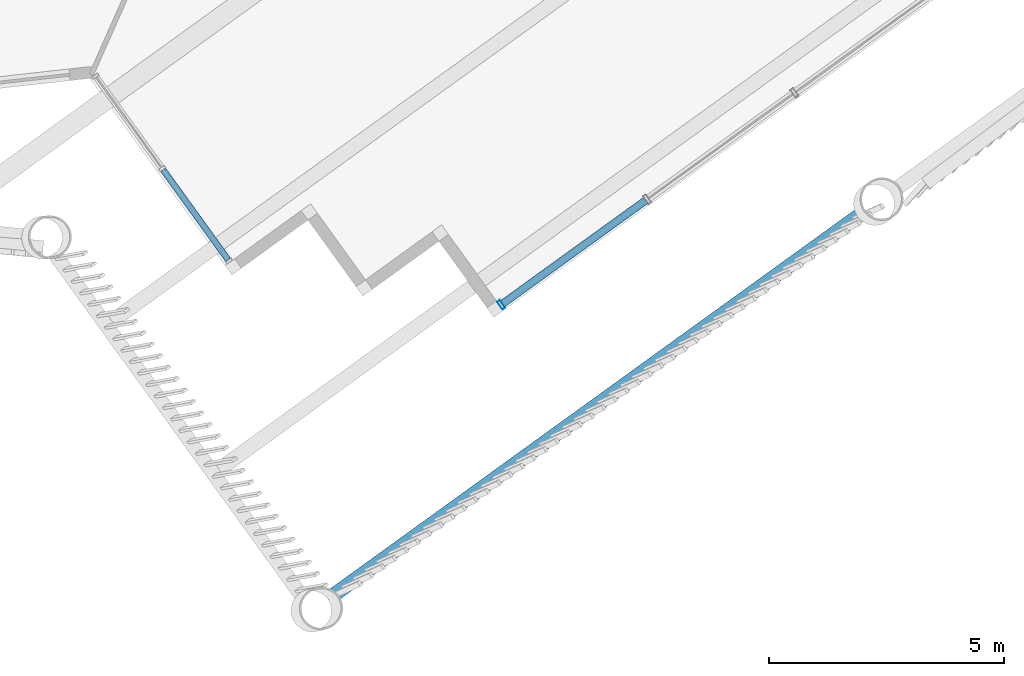
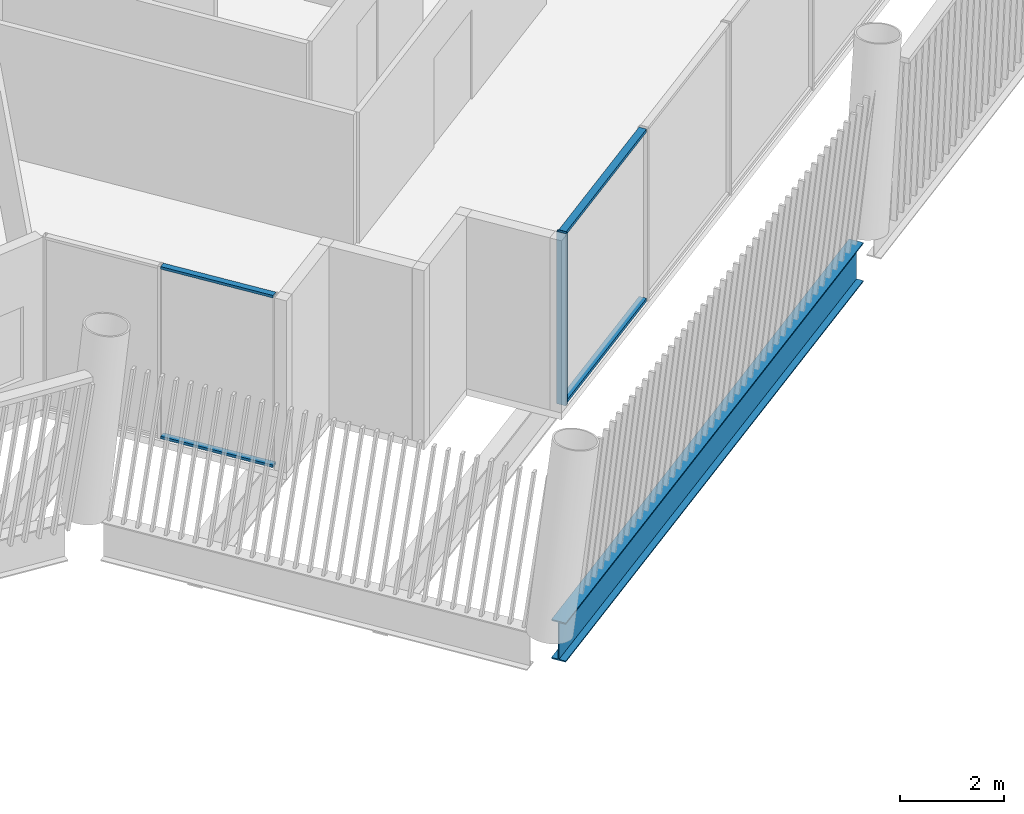
# One storey, part 8 of 27: 5 members, 1 beam, 2 elements without a shape of their own.
"""IFC4 building model written with IfcOpenShell, lengths in metres."""

from ifc_helpers import new_model, si_unit, direction, frame, origin, origin_2d, place, context, subcontext, project, spatial, hollow_rectangle, i_section, extrude, material, layer, layer_set, material_profile, profile_set, type_object, element, aggregate, save


model = new_model("IFC4")

# Units and contexts
model_context = context("Model", 3, precision=1e-05, world=origin(), true_north=direction((0.0, 1.0)))
body_context = subcontext(model_context, "Body", "Model", "MODEL_VIEW")
ifc_project = project(units=[si_unit("LENGTHUNIT", "METRE"), si_unit("AREAUNIT", "SQUARE_METRE"), si_unit("VOLUMEUNIT", "CUBIC_METRE"), si_unit("PLANEANGLEUNIT", "RADIAN"), si_unit("MASSUNIT", "GRAM", prefix="KILO")], contexts=[model_context])

# Site, building, storey
site_placement = place(None, origin())
site = spatial("IfcSite", under=ifc_project, at=site_placement, CompositionType="ELEMENT")
building_placement = place(site_placement, origin())
building = spatial("IfcBuilding", under=site, at=building_placement, Name="Tarsis Ring Headquarters", CompositionType="ELEMENT")
storey_placement = place(building_placement, frame((0.0, 0.0, 373.39990234375)))
storey = spatial("IfcBuildingStorey", under=building, at=storey_placement, Name="L88", CompositionType="ELEMENT", Elevation=373.39990234375)

# Curtain wall, members
ifc_material_1 = material(Name="Aluminium curtain wall", Category="aluminium")
ifc_layer_1 = layer(ifc_material_1, 0.199951171875)
ifc_layer_set_1 = layer_set([ifc_layer_1], Name="Curtain wall executive tip")
curtain_wall_type_1 = type_object("IfcCurtainWallType", Name="Curtain wall executive tip", PredefinedType="NOTDEFINED", material=ifc_layer_set_1)
curtain_wall_1_placement = place(storey_placement, origin())
curtain_wall_1 = element("IfcCurtainWall", 1, at=curtain_wall_1_placement, inside=storey, type_object=curtain_wall_type_1, Name="Curtain wall L88-11", PredefinedType="NOTDEFINED")
ifc_material_2 = material(Name="Aluminium mullion", Category="aluminium")
ifc_material_profile_1 = material_profile(ifc_material_2, hollow_rectangle(XDim=0.199951171875, YDim=0.070068359375, WallThickness=0.0048828125, at=origin_2d()), Name="RHS 200x70x5")
ifc_profile_set_1 = profile_set([ifc_material_profile_1], Name="Aluminium mullion")
member_type_1 = type_object("IfcMemberType", Name="Curtain wall mullion executive tip RHS 200x70x5", PredefinedType="MULLION", material=ifc_profile_set_1)
member_1_placement = place(storey_placement, frame((12.409423828125, -30.35693359375, 0.0), z_axis=(0.0, 0.0, 1.0), x_axis=(-0.58552372668, 0.810655269208, 0.0)))
member_1 = element("IfcMember", 2, at=member_1_placement, type_object=member_type_1, Name="CW-E mullion 1", PredefinedType="MULLION", context=body_context, shape_type="SweptSolid", body=[
    extrude(hollow_rectangle(XDim=0.199951171875, YDim=0.070068359375, WallThickness=0.0048828125, at=origin_2d()), origin(), (0.0, 0.0, 1.0), 4.0400390625),
])
ifc_material_3 = material(Name="Aluminium transom", Category="aluminium")
ifc_material_profile_2 = material_profile(ifc_material_3, hollow_rectangle(XDim=0.159912109375, YDim=0.070068359375, WallThickness=0.0048828125, at=origin_2d()), Name="RHS 160x70x5")
ifc_profile_set_2 = profile_set([ifc_material_profile_2], Name="Aluminium transom")
member_type_2 = type_object("IfcMemberType", Name="Curtain wall transom executive tip RHS 160x70x5", PredefinedType="USERDEFINED", material=ifc_profile_set_2)
member_2_placement = place(storey_placement, frame((12.437744140625, -30.33642578125, 0.03515625), z_axis=(0.810672397619, 0.585500011733, 0.0), x_axis=(-0.585500011733, 0.810672397619, 0.0)))
member_2 = element("IfcMember", 3, at=member_2_placement, type_object=member_type_2, Name="CW-E transom 1.1", ObjectType="TRANSOM", PredefinedType="USERDEFINED", context=body_context, shape_type="SweptSolid", body=[
    extrude(hollow_rectangle(XDim=0.159912109375, YDim=0.070068359375, WallThickness=0.0048828125, at=origin_2d()), origin(), (0.0, 0.0, 1.0), 3.77001953125),
])
member_3_placement = place(storey_placement, frame((12.437744140625, -30.33642578125, 4.005126953125), z_axis=(0.810672397619, 0.585500011733, 0.0), x_axis=(-0.585500011733, 0.810672397619, 0.0)))
member_3 = element("IfcMember", 4, at=member_3_placement, type_object=member_type_2, Name="CW-E transom 1.2", ObjectType="TRANSOM", PredefinedType="USERDEFINED", context=body_context, shape_type="SweptSolid", body=[
    extrude(hollow_rectangle(XDim=0.159912109375, YDim=0.070068359375, WallThickness=0.0048828125, at=origin_2d()), origin(), (0.0, 0.0, 1.0), 3.77001953125),
])
aggregate(curtain_wall_1, [member_1, member_2, member_3])

ifc_layer_2 = layer(ifc_material_1, 0.14990234375)
ifc_layer_set_2 = layer_set([ifc_layer_2], Name="Curtain wall tower unit")
curtain_wall_type_2 = type_object("IfcCurtainWallType", Name="Curtain wall tower unit", PredefinedType="NOTDEFINED", material=ifc_layer_set_2)
curtain_wall_2_placement = place(storey_placement, origin())
curtain_wall_2 = element("IfcCurtainWall", 5, at=curtain_wall_2_placement, inside=storey, type_object=curtain_wall_type_2, Name="Curtain wall L88-06", PredefinedType="NOTDEFINED")
ifc_material_profile_3 = material_profile(ifc_material_3, hollow_rectangle(XDim=0.1298828125, YDim=0.06005859375, WallThickness=0.0048828125, at=origin_2d()), Name="RHS 130x60x5")
ifc_profile_set_3 = profile_set([ifc_material_profile_3], Name="Aluminium transom")
member_type_3 = type_object("IfcMemberType", Name="Curtain wall transom tower unit RHS 130x60x5", PredefinedType="USERDEFINED", material=ifc_profile_set_3)
member_4_placement = place(storey_placement, frame((5.1982421875, -27.47802734375, 0.030029296875), z_axis=(0.585554460517, -0.810633069747, 0.0), x_axis=(0.810633069747, 0.585554460517, 0.0)))
member_4 = element("IfcMember", 6, at=member_4_placement, type_object=member_type_3, Name="CW-T transom 2.1", ObjectType="TRANSOM", PredefinedType="USERDEFINED", context=body_context, shape_type="SweptSolid", body=[
    extrude(hollow_rectangle(XDim=0.1298828125, YDim=0.06005859375, WallThickness=0.0048828125, at=origin_2d()), origin(), (0.0, 0.0, 1.0), 2.37109375),
])
member_5_placement = place(storey_placement, frame((5.1982421875, -27.47802734375, 4.010009765625), z_axis=(0.585554460517, -0.810633069747, 0.0), x_axis=(0.810633069747, 0.585554460517, 0.0)))
member_5 = element("IfcMember", 7, at=member_5_placement, type_object=member_type_3, Name="CW-T transom 2.2", ObjectType="TRANSOM", PredefinedType="USERDEFINED", context=body_context, shape_type="SweptSolid", body=[
    extrude(hollow_rectangle(XDim=0.1298828125, YDim=0.06005859375, WallThickness=0.0048828125, at=origin_2d()), origin(), (0.0, 0.0, 1.0), 2.37109375),
])
aggregate(curtain_wall_2, [member_4, member_5])

# Beam
ifc_material_4 = material(Name="Structural steel S355", Category="steel")
ifc_material_profile_4 = material_profile(ifc_material_4, i_section(OverallWidth=0.3046875, OverallDepth=0.91943359375, WebThickness=0.017333984375, FlangeThickness=0.02783203125, at=origin_2d()), Name="W36x170")
ifc_profile_set_4 = profile_set([ifc_material_profile_4], Name="Structural steel S355")
beam_type = type_object("IfcBeamType", Name="XG Ring girder W36x170", PredefinedType="BEAM", material=ifc_profile_set_4)
beam_placement = place(storey_placement, frame((8.712158203125, -36.6357421875, -0.459716796875), z_axis=(0.810648828149, 0.585532644197, 0.0), x_axis=(-0.585532644197, 0.810648828149, 0.0)))
element("IfcBeam", 8, at=beam_placement, inside=storey, type_object=beam_type, Name="Ring girder XG4", PredefinedType="BEAM", context=body_context, shape_type="SweptSolid", body=[
    extrude(i_section(OverallWidth=0.3046875, OverallDepth=0.91943359375, WebThickness=0.017333984375, FlangeThickness=0.02783203125, at=origin_2d()), origin(), (0.0, 0.0, 1.0), 13.97705078125),
])

save(model, "model.ifc")
